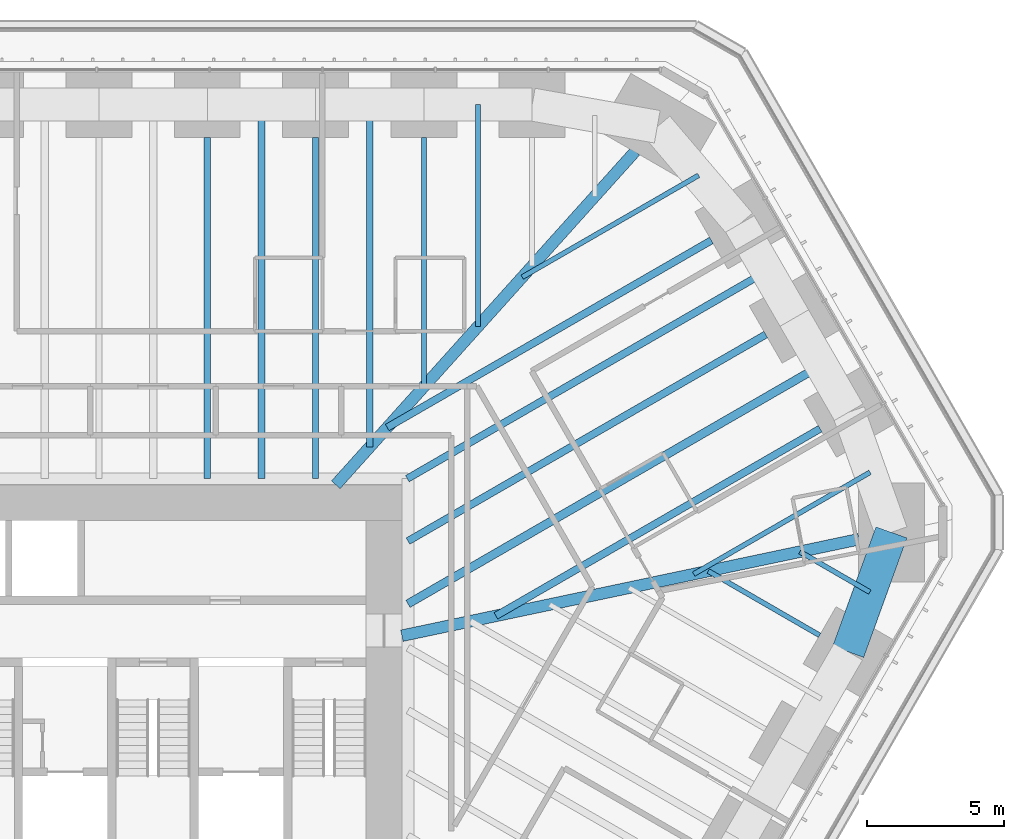
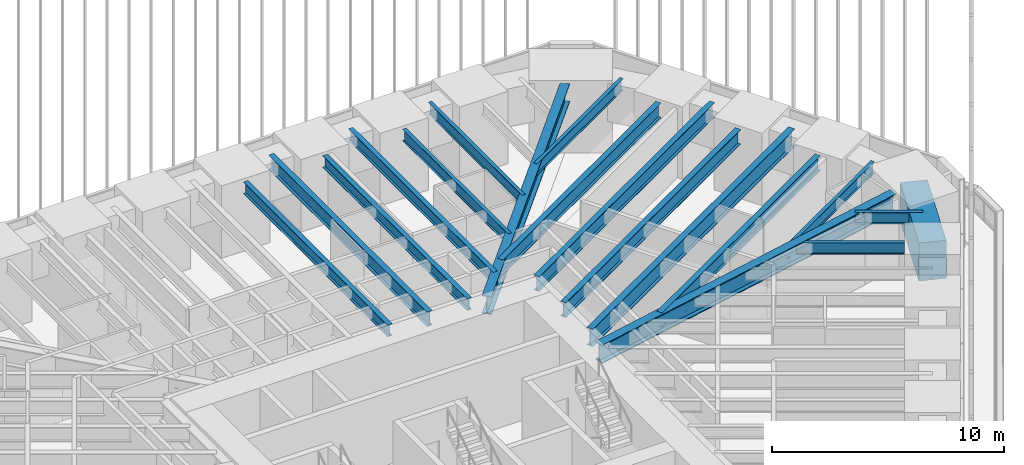
# One storey, part 175 of 238: 18 beams.
"""IFC4 building model written with IfcOpenShell, lengths in metres."""

import ifcopenshell
import ifcopenshell.guid

model = None  # the IFC model being written
_history = None  # IfcOwnerHistory: only IFC2X3 demands one
_inside = {}  # id of a spatial element -> (the spatial element, [elements in it])
_under = {}  # id of a project, library or spatial element -> (it, [spatial elements below it])
_declared = {}  # id of a project -> (the project, [libraries it declares])
_typed = {}  # id of a type object -> (the type object, [elements of that type])
_made_of = {}  # id of a material, layer set ... -> (it, [elements and type objects made of it])


def new_model(schema):
    """Start an empty IFC model of exactly this schema.

    Asked for "IFC4X3", IfcOpenShell would pick the latest addendum, in which some entities
    have other attributes; the version numbers below select the first issue.
    IFC2X3 requires an IfcOwnerHistory on every rooted entity: one is made here for all.
    """
    global model, _history
    if schema == "IFC4X3":
        model = ifcopenshell.file(schema_version=(4, 3, 0, 0))
    else:
        model = ifcopenshell.file(schema=schema)
    _inside.clear()
    _under.clear()
    _declared.clear()
    _typed.clear()
    _made_of.clear()
    _history = None
    if model.schema == "IFC2X3":
        org = make("IfcOrganization", Name="unknown")
        user = make(
            "IfcPersonAndOrganization",
            ThePerson=make("IfcPerson", FamilyName="unknown"),
            TheOrganization=org,
        )
        app = make(
            "IfcApplication",
            ApplicationDeveloper=org,
            Version="unknown",
            ApplicationFullName="unknown",
            ApplicationIdentifier="unknown",
        )
        _history = make(
            "IfcOwnerHistory",
            OwningUser=user,
            OwningApplication=app,
            ChangeAction="ADDED",
            CreationDate=0,
        )
    return model


def make(cls, **values):
    """One entity of the class cls with the attributes given. An attribute that is None is left unset."""
    return model.create_entity(
        cls, **{name: value for name, value in values.items() if value is not None}
    )


def rooted(cls, **values):
    """An entity with a GlobalId (a new one), such as an element, a storey or a relation."""
    return make(cls, GlobalId=ifcopenshell.guid.new(), OwnerHistory=_history, **values)


def si_unit(unit_type, name, prefix=None):
    """IfcSIUnit, for example si_unit("LENGTHUNIT", "METRE", prefix="MILLI")."""
    return make("IfcSIUnit", UnitType=unit_type, Prefix=prefix, Name=name)


def assignment(units):
    """IfcUnitAssignment: the units of a project."""
    return None if units is None else make("IfcUnitAssignment", Units=units)


def point(xyz):
    """IfcCartesianPoint."""
    return None if xyz is None else make("IfcCartesianPoint", Coordinates=xyz)


def direction(xyz):
    """IfcDirection."""
    return None if xyz is None else make("IfcDirection", DirectionRatios=xyz)


def frame(location, z_axis=None, x_axis=None):
    """IfcAxis2Placement3D, a coordinate frame: its origin and axes. An axis left out is left unset."""
    return make(
        "IfcAxis2Placement3D",
        Location=point(location),
        Axis=direction(z_axis),
        RefDirection=direction(x_axis),
    )


def frame_2d(location, x_axis=None):
    """IfcAxis2Placement2D, a coordinate frame in the plane: its origin and x axis."""
    return make(
        "IfcAxis2Placement2D", Location=point(location), RefDirection=direction(x_axis)
    )


def origin():
    """The frame at (0, 0, 0) with its axes left unset."""
    return frame((0.0, 0.0, 0.0))


def origin_2d():
    """The frame at (0, 0) in the plane with its x axis left unset."""
    return frame_2d((0.0, 0.0))


def place(relative_to, where):
    """IfcLocalPlacement: puts the frame where relative to a parent placement (None: the world)."""
    return make(
        "IfcLocalPlacement", PlacementRelTo=relative_to, RelativePlacement=where
    )


def context(
    kind, dimensions, precision=None, world=None, true_north=None, identifier=None
):
    """IfcGeometricRepresentationContext, for example the 3D "Model" context."""
    return make(
        "IfcGeometricRepresentationContext",
        ContextIdentifier=identifier,
        ContextType=kind,
        CoordinateSpaceDimension=dimensions,
        Precision=precision,
        WorldCoordinateSystem=world,
        TrueNorth=true_north,
    )


def subcontext(parent, identifier, kind, view, scale=None):
    """IfcGeometricRepresentationSubContext, for example "Body" below "Model"."""
    return make(
        "IfcGeometricRepresentationSubContext",
        ContextIdentifier=identifier,
        ContextType=kind,
        ParentContext=parent,
        TargetScale=scale,
        TargetView=view,
    )


def project(units=None, contexts=None):
    """IfcProject with its units and contexts."""
    return rooted(
        "IfcProject",
        Name="project",
        RepresentationContexts=contexts,
        UnitsInContext=assignment(units),
    )


def spatial(cls, under=None, at=None, **own):
    """A site, building, storey or space (cls), placed at a placement, below another one or the project."""
    s = rooted(cls, ObjectPlacement=at, **own)
    if under is not None:
        _under.setdefault(under.id(), (under, []))[1].append(s)
    return s


def profile(cls, at=None, kind="AREA", **sizes):
    """A parametric profile (cls). Its sizes go by their IFC names, for example OverallWidth=200.0."""
    return make(cls, ProfileType=kind, Position=at, **sizes)


def rectangle(**sizes):
    """IfcRectangleProfileDef."""
    return profile("IfcRectangleProfileDef", **sizes)


def i_section(**sizes):
    """IfcIShapeProfileDef."""
    return profile("IfcIShapeProfileDef", **sizes)


def extrude(swept, where, along, depth):
    """IfcExtrudedAreaSolid: the profile swept, set in the frame where, extruded along a direction by depth."""
    return make(
        "IfcExtrudedAreaSolid",
        SweptArea=swept,
        Position=where,
        ExtrudedDirection=direction(along),
        Depth=depth,
    )


def shape(context_of_items, identifier, shape_type, items):
    """IfcShapeRepresentation: the items that make up one representation, for example the "Body"."""
    return make(
        "IfcShapeRepresentation",
        ContextOfItems=context_of_items,
        RepresentationIdentifier=identifier,
        RepresentationType=shape_type,
        Items=items,
    )


def material(Name=None, Category=None):
    """IfcMaterial."""
    return make("IfcMaterial", Name=Name, Category=Category)


def material_profile(
    of_material, cross_section, Name=None, Category=None, Priority=None
):
    """IfcMaterialProfile: a cross section and its material."""
    return make(
        "IfcMaterialProfile",
        Name=Name,
        Material=of_material,
        Profile=cross_section,
        Priority=Priority,
        Category=Category,
    )


def profile_set(profiles, Name=None, composite=None):
    """IfcMaterialProfileSet."""
    return make(
        "IfcMaterialProfileSet",
        Name=Name,
        MaterialProfiles=profiles,
        CompositeProfile=composite,
    )


def made_of(thing, what):
    """Note that an element or type object is made of a material, layer set ...; save() writes the relation."""
    if what is not None:
        _made_of.setdefault(what.id(), (what, []))[1].append(thing)
    return thing


def type_object(cls, material=None, **own):
    """A type object (cls), such as IfcWallType, which elements share."""
    return made_of(rooted(cls, **own), material)


def element(
    cls,
    number,
    at=None,
    inside=None,
    cuts=None,
    type_object=None,
    material=None,
    context=None,
    identifier="Body",
    shape_type=None,
    held_by="IfcProductDefinitionShape",
    body=None,
    shapes=None,
    **own,
):
    """One element of the class cls, such as IfcWall. Its Tag is "e" and its number.

    at: its placement. inside: the storey or other place that contains it. cuts: it is an
    opening in that element (IfcRelVoidsElement). A single representation is given by context,
    identifier, shape_type and body (its items); several are given by shapes. held_by: the class
    of the entity that holds the representations. save() writes the other relations.
    """
    e = rooted(cls, Tag="e%d" % number, ObjectPlacement=at, **own)
    if body is not None:
        shapes = [shape(context, identifier, shape_type, body)]
    if shapes is not None:
        e.Representation = make(held_by, Representations=shapes)
    if inside is not None:
        _inside.setdefault(inside.id(), (inside, []))[1].append(e)
    if cuts is not None:
        rooted(
            "IfcRelVoidsElement", RelatingBuildingElement=cuts, RelatedOpeningElement=e
        )
    if type_object is not None:
        _typed.setdefault(type_object.id(), (type_object, []))[1].append(e)
    return made_of(e, material)


def aggregate(whole, parts):
    """IfcRelAggregates: a whole, such as a stair, and the parts it consists of."""
    return rooted("IfcRelAggregates", RelatingObject=whole, RelatedObjects=parts)


def save(model, path):
    """Write the relations noted so far, then the file.

    IfcRelAggregates (storeys below a building ...), IfcRelContainedInSpatialStructure (elements
    in a storey), IfcRelDefinesByType, IfcRelAssociatesMaterial and IfcRelDeclares: one each for
    every whole, place, type object, material and project.
    """
    for whole, parts in _under.values():
        aggregate(whole, parts)
    for where, things in _inside.values():
        rooted(
            "IfcRelContainedInSpatialStructure",
            RelatedElements=things,
            RelatingStructure=where,
        )
    for kind, things in _typed.values():
        rooted("IfcRelDefinesByType", RelatedObjects=things, RelatingType=kind)
    for what, things in _made_of.values():
        rooted("IfcRelAssociatesMaterial", RelatedObjects=things, RelatingMaterial=what)
    for by, libraries in _declared.values():
        rooted("IfcRelDeclares", RelatingContext=by, RelatedDefinitions=libraries)
    model.write(path)


model = new_model("IFC4")

# Units and contexts
model_context = context("Model", 3, precision=1e-05, world=origin(), true_north=direction((0.0, 1.0)))
body_context = subcontext(model_context, "Body", "Model", "MODEL_VIEW")
ifc_project = project(units=[si_unit("LENGTHUNIT", "METRE"), si_unit("AREAUNIT", "SQUARE_METRE"), si_unit("VOLUMEUNIT", "CUBIC_METRE"), si_unit("PLANEANGLEUNIT", "RADIAN"), si_unit("MASSUNIT", "GRAM", prefix="KILO")], contexts=[model_context])

# Site, building, storey
site_placement = place(None, origin())
site = spatial("IfcSite", under=ifc_project, at=site_placement, CompositionType="ELEMENT")
building_placement = place(site_placement, origin())
building = spatial("IfcBuilding", under=site, at=building_placement, Name="Sandreach Pilgrim Tower", CompositionType="ELEMENT")
storey_placement = place(building_placement, frame((0.0, 0.0, 96.800048828125)))
storey = spatial("IfcBuildingStorey", under=building, at=storey_placement, Name="L23", CompositionType="ELEMENT", Elevation=96.800048828125)

# Beams
ifc_material_1 = material(Name="Steel ASTM A992 Grade 50", Category="steel")
ifc_material_profile_1 = material_profile(ifc_material_1, i_section(OverallWidth=0.421630859375, OverallDepth=0.95751953125, WebThickness=0.02587890625, FlangeThickness=0.046875, at=origin_2d()), Name="W36X330")
ifc_profile_set_1 = profile_set([ifc_material_profile_1], Name="Steel ASTM A992 Grade 50")
beam_type_1 = type_object("IfcBeamType", Name="Corner girder W36X330", PredefinedType="BEAM", material=ifc_profile_set_1)
beam_1_placement = place(storey_placement, frame((17.53759765625, 19.531005859375, 3.1611328125), z_axis=(-0.668111331361, -0.744061320663, 0.0), x_axis=(0.744061320663, -0.668111331361, 0.0)))
element("IfcBeam", 1, at=beam_1_placement, inside=storey, type_object=beam_type_1, Name="BM L23 CG09", PredefinedType="BEAM", context=body_context, shape_type="SweptSolid", body=[
    extrude(i_section(OverallWidth=0.421630859375, OverallDepth=0.95751953125, WebThickness=0.02587890625, FlangeThickness=0.046875, at=origin_2d()), origin(), (0.0, 0.0, 1.0), 16.303955078125),
])
ifc_material_2 = material(Name="Steel ASTM A992 Grade 50", Category="steel")
ifc_material_profile_2 = material_profile(ifc_material_2, i_section(OverallWidth=0.424072265625, OverallDepth=0.965087890625, WebThickness=0.028564453125, FlangeThickness=0.051025390625, at=origin_2d()), Name="W36X361")
ifc_profile_set_2 = profile_set([ifc_material_profile_2], Name="Steel ASTM A992 Grade 50")
beam_type_2 = type_object("IfcBeamType", Name="Corner girder W36X361", PredefinedType="BEAM", material=ifc_profile_set_2)
beam_2_placement = place(storey_placement, frame((25.68310546875, 5.422607421875, 3.157470703125), z_axis=(-0.978427865996, -0.206588748585, 0.0), x_axis=(0.206588748585, -0.978427865996, 0.0)))
element("IfcBeam", 2, at=beam_2_placement, inside=storey, type_object=beam_type_2, Name="BM L23 CG13", PredefinedType="BEAM", context=body_context, shape_type="SweptSolid", body=[
    extrude(i_section(OverallWidth=0.424072265625, OverallDepth=0.965087890625, WebThickness=0.028564453125, FlangeThickness=0.051025390625, at=origin_2d()), origin(), (0.0, 0.0, 1.0), 16.999755859375),
])
ifc_material_3 = material(Name="Steel ASTM A992 Grade 50", Category="steel")
ifc_material_profile_3 = material_profile(ifc_material_3, i_section(OverallWidth=0.1787109375, OverallDepth=0.60205078125, WebThickness=0.010986328125, FlangeThickness=0.014892578125, at=origin_2d()), Name="W24X62")
ifc_profile_set_3 = profile_set([ifc_material_profile_3], Name="Steel ASTM A992 Grade 50")
beam_type_3 = type_object("IfcBeamType", Name="Floor beam W24X62", PredefinedType="BEAM", material=ifc_profile_set_3)
beam_3_placement = place(storey_placement, frame((9.849853515625, 20.03369140625, 3.3388671875), z_axis=(0.0, -1.0, 0.0), x_axis=(1.0, 0.0, 0.0)))
element("IfcBeam", 3, at=beam_3_placement, inside=storey, type_object=beam_type_3, Name="BM L23 F07", PredefinedType="BEAM", context=body_context, shape_type="SweptSolid", body=[
    extrude(i_section(OverallWidth=0.1787109375, OverallDepth=0.60205078125, WebThickness=0.010986328125, FlangeThickness=0.014892578125, at=origin_2d()), origin(), (0.0, 0.0, 1.0), 9.064208984375),
])
beam_4_placement = place(storey_placement, frame((24.24462890625, 1.925537109375, 3.3388671875), z_axis=(-0.866040404911, 0.499974016386, 0.0), x_axis=(-0.499974016386, -0.866040404911, 0.0)))
element("IfcBeam", 4, at=beam_4_placement, inside=storey, type_object=beam_type_3, Name="BM L23 F14", PredefinedType="BEAM", context=body_context, shape_type="SweptSolid", body=[
    extrude(i_section(OverallWidth=0.1787109375, OverallDepth=0.60205078125, WebThickness=0.010986328125, FlangeThickness=0.014892578125, at=origin_2d()), origin(), (0.0, 0.0, 1.0), 4.676513671875),
])
beam_5_placement = place(storey_placement, frame((11.81982421875, 21.23388671875, 3.3388671875), z_axis=(0.0, -1.0, 0.0), x_axis=(1.0, 0.0, 0.0)))
element("IfcBeam", 5, at=beam_5_placement, inside=storey, type_object=beam_type_3, Name="BM L23 FM07", PredefinedType="BEAM", context=body_context, shape_type="SweptSolid", body=[
    extrude(i_section(OverallWidth=0.1787109375, OverallDepth=0.60205078125, WebThickness=0.010986328125, FlangeThickness=0.014892578125, at=origin_2d()), origin(), (0.0, 0.0, 1.0), 8.070556640625),
])
for number, where, z_axis, x_axis, name in (
    (6, (19.8427734375, 18.65771484375, 3.3388671875), (-0.866025875064, -0.499999183719, 0.0), (0.499999183719, -0.866025875064, 0.0), "BM L23 FM09"),
    (7, (26.079345703125, 7.855712890625, 3.3388671875), (-0.866025875064, -0.499999183719, 0.0), (0.499999183719, -0.866025875064, 0.0), "BM L23 FM12"),
):
    element("IfcBeam", number, at=place(storey_placement, frame(where, z_axis=z_axis, x_axis=x_axis)), inside=storey, type_object=beam_type_3, Name=name, PredefinedType="BEAM", context=body_context, shape_type="SweptSolid", body=[
        extrude(i_section(OverallWidth=0.1787109375, OverallDepth=0.60205078125, WebThickness=0.010986328125, FlangeThickness=0.014892578125, at=origin_2d()), origin(), (0.0, 0.0, 1.0), 7.40771484375),
    ])
beam_6_placement = place(storey_placement, frame((26.070556640625, 3.498046875, 3.3388671875), z_axis=(-0.866051374412, 0.499955014855, 0.0), x_axis=(-0.499955014855, -0.866051374412, 0.0)))
element("IfcBeam", 8, at=beam_6_placement, inside=storey, type_object=beam_type_3, Name="BM L23 FM13", PredefinedType="BEAM", context=body_context, shape_type="SweptSolid", body=[
    extrude(i_section(OverallWidth=0.1787109375, OverallDepth=0.60205078125, WebThickness=0.010986328125, FlangeThickness=0.014892578125, at=origin_2d()), origin(), (0.0, 0.0, 1.0), 2.938232421875),
])
ifc_material_4 = material(Name="Steel ASTM A992 Grade 50", Category="steel")
ifc_material_profile_4 = material_profile(ifc_material_4, i_section(OverallWidth=0.23046875, OverallDepth=0.6171875, WebThickness=0.01318359375, FlangeThickness=0.022216796875, at=origin_2d()), Name="W24X94")
ifc_profile_set_4 = profile_set([ifc_material_profile_4], Name="Steel ASTM A992 Grade 50")
beam_type_4 = type_object("IfcBeamType", Name="Floor beam W24X94", PredefinedType="BEAM", material=ifc_profile_set_4)
for number, where, z_axis, x_axis, name in (
    (9, (1.969970703125, 20.03369140625, 3.331298828125), (0.0, -1.0, 0.0), (1.0, 0.0, 0.0), "BM L23 F05"),
    (10, (5.909912109375, 20.03369140625, 3.331298828125), (0.0, -1.0, 0.0), (1.0, 0.0, 0.0), "BM L23 F06"),
):
    element("IfcBeam", number, at=place(storey_placement, frame(where, z_axis=z_axis, x_axis=x_axis)), inside=storey, type_object=beam_type_4, Name=name, PredefinedType="BEAM", context=body_context, shape_type="SweptSolid", body=[
        extrude(i_section(OverallWidth=0.23046875, OverallDepth=0.6171875, WebThickness=0.01318359375, FlangeThickness=0.022216796875, at=origin_2d()), origin(), (0.0, 0.0, 1.0), 12.41162109375),
    ])
beam_7_placement = place(storey_placement, frame((7.8798828125, 21.23388671875, 3.331298828125), z_axis=(0.0, -1.0, 0.0), x_axis=(1.0, 0.0, 0.0)))
element("IfcBeam", 11, at=beam_7_placement, inside=storey, type_object=beam_type_4, Name="BM L23 FM06", PredefinedType="BEAM", context=body_context, shape_type="SweptSolid", body=[
    extrude(i_section(OverallWidth=0.23046875, OverallDepth=0.6171875, WebThickness=0.01318359375, FlangeThickness=0.022216796875, at=origin_2d()), origin(), (0.0, 0.0, 1.0), 12.458251953125),
])
ifc_material_5 = material(Name="Steel ASTM A992 Grade 50", Category="steel")
ifc_material_profile_5 = material_profile(ifc_material_5, i_section(OverallWidth=0.2666015625, OverallDepth=0.761962890625, WebThickness=0.014404296875, FlangeThickness=0.021484375, at=origin_2d()), Name="W30X116")
ifc_profile_set_5 = profile_set([ifc_material_profile_5], Name="Steel ASTM A992 Grade 50")
beam_type_5 = type_object("IfcBeamType", Name="Floor beam W30X116", PredefinedType="BEAM", material=ifc_profile_set_5)
for number, where, z_axis, x_axis, name in (
    (12, (20.30712890625, 16.29150390625, 3.259033203125), (-0.866019859564, -0.500009602748, 0.0), (0.500009602748, -0.866019859564, 0.0), "BM L23 F10"),
    (13, (24.262451171875, 9.440673828125, 3.259033203125), (-0.866032106686, -0.499988390054, 0.0), (0.499988390054, -0.866032106686, 0.0), "BM L23 F12"),
):
    element("IfcBeam", number, at=place(storey_placement, frame(where, z_axis=z_axis, x_axis=x_axis)), inside=storey, type_object=beam_type_5, Name=name, PredefinedType="BEAM", context=body_context, shape_type="SweptSolid", body=[
        extrude(i_section(OverallWidth=0.2666015625, OverallDepth=0.761962890625, WebThickness=0.014404296875, FlangeThickness=0.021484375, at=origin_2d()), origin(), (0.0, 0.0, 1.0), 13.615478515625),
    ])
beam_8_placement = place(storey_placement, frame((3.93994140625, 21.23388671875, 3.259033203125), z_axis=(0.0, -1.0, 0.0), x_axis=(1.0, 0.0, 0.0)))
element("IfcBeam", 14, at=beam_8_placement, inside=storey, type_object=beam_type_5, Name="BM L23 FM05", PredefinedType="BEAM", context=body_context, shape_type="SweptSolid", body=[
    extrude(i_section(OverallWidth=0.2666015625, OverallDepth=0.761962890625, WebThickness=0.014404296875, FlangeThickness=0.021484375, at=origin_2d()), origin(), (0.0, 0.0, 1.0), 13.61181640625),
])
ifc_material_6 = material(Name="Steel ASTM A992 Grade 50", Category="steel")
ifc_material_profile_6 = material_profile(ifc_material_6, i_section(OverallWidth=0.2666015625, OverallDepth=0.77978515625, WebThickness=0.0166015625, FlangeThickness=0.030029296875, at=origin_2d()), Name="W30X148")
ifc_profile_set_6 = profile_set([ifc_material_profile_6], Name="Steel ASTM A992 Grade 50")
beam_type_6 = type_object("IfcBeamType", Name="Floor beam W30X148", PredefinedType="BEAM", material=ifc_profile_set_6)
beam_9_placement = place(storey_placement, frame((22.28466796875, 12.8662109375, 3.25), z_axis=(-0.866023780995, -0.500002810742, 0.0), x_axis=(0.500002810742, -0.866023780995, 0.0)))
element("IfcBeam", 15, at=beam_9_placement, inside=storey, type_object=beam_type_6, Name="BM L23 F11", PredefinedType="BEAM", context=body_context, shape_type="SweptSolid", body=[
    extrude(i_section(OverallWidth=0.2666015625, OverallDepth=0.77978515625, WebThickness=0.0166015625, FlangeThickness=0.030029296875, at=origin_2d()), origin(), (0.0, 0.0, 1.0), 15.02587890625),
])
beam_10_placement = place(storey_placement, frame((22.335205078125, 15.1787109375, 3.25), z_axis=(-0.866027679071, -0.499996059067, 0.0), x_axis=(0.499996059067, -0.866027679071, 0.0)))
element("IfcBeam", 16, at=beam_10_placement, inside=storey, type_object=beam_type_6, Name="BM L23 FM10", PredefinedType="BEAM", context=body_context, shape_type="SweptSolid", body=[
    extrude(i_section(OverallWidth=0.2666015625, OverallDepth=0.77978515625, WebThickness=0.0166015625, FlangeThickness=0.030029296875, at=origin_2d()), origin(), (0.0, 0.0, 1.0), 15.11328125),
])
ifc_material_7 = material(Name="Steel ASTM A992 Grade 50", Category="steel")
ifc_material_profile_7 = material_profile(ifc_material_7, i_section(OverallWidth=0.3046875, OverallDepth=0.914306640625, WebThickness=0.0166015625, FlangeThickness=0.02587890625, at=origin_2d()), Name="W36X160")
ifc_profile_set_7 = profile_set([ifc_material_profile_7], Name="Steel ASTM A992 Grade 50")
beam_type_7 = type_object("IfcBeamType", Name="Floor beam W36X160", PredefinedType="BEAM", material=ifc_profile_set_7)
beam_11_placement = place(storey_placement, frame((24.312744140625, 11.75341796875, 3.182861328125), z_axis=(-0.866024296162, -0.500001918454, 0.0), x_axis=(0.500001918454, -0.866024296162, 0.0)))
element("IfcBeam", 17, at=beam_11_placement, inside=storey, type_object=beam_type_7, Name="BM L23 FM11", PredefinedType="BEAM", context=body_context, shape_type="SweptSolid", body=[
    extrude(i_section(OverallWidth=0.3046875, OverallDepth=0.914306640625, WebThickness=0.0166015625, FlangeThickness=0.02587890625, at=origin_2d()), origin(), (0.0, 0.0, 1.0), 17.36767578125),
])
ifc_material_8 = material(Name="Concrete 10000 psi", Category="concrete")
ifc_material_profile_8 = material_profile(ifc_material_8, rectangle(XDim=1.199951171875, YDim=2.0, at=origin_2d()), Name="RC1200X2000")
ifc_profile_set_8 = profile_set([ifc_material_profile_8], Name="Concrete 10000 psi")
beam_type_8 = type_object("IfcBeamType", Name="Spandrel beam RC1200X2000", PredefinedType="SPANDREL", material=ifc_profile_set_8)
beam_12_placement = place(storey_placement, frame((26.857177734375, 5.67041015625, 2.639892578125), z_axis=(-0.340453163563, -0.940261476091, 0.0), x_axis=(0.940261476091, -0.340453163563, 0.0)))
element("IfcBeam", 18, at=beam_12_placement, inside=storey, type_object=beam_type_8, Name="BM L23 SP13", PredefinedType="SPANDREL", context=body_context, shape_type="SweptSolid", body=[
    extrude(rectangle(XDim=1.199951171875, YDim=2.0, at=origin_2d()), origin(), (0.0, 0.0, 1.0), 4.62109375),
])

save(model, "model.ifc")
